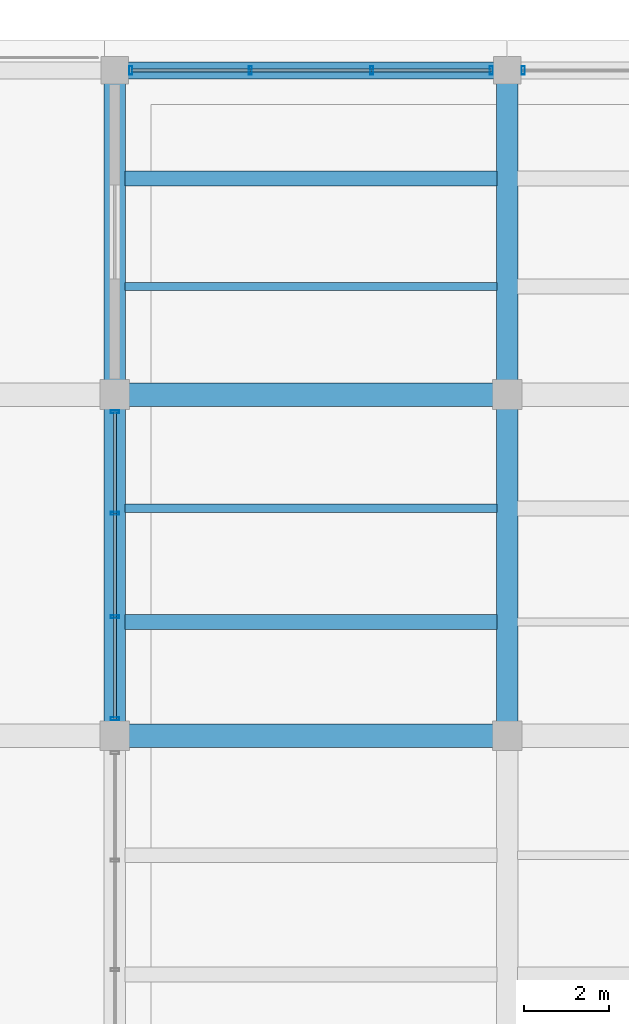
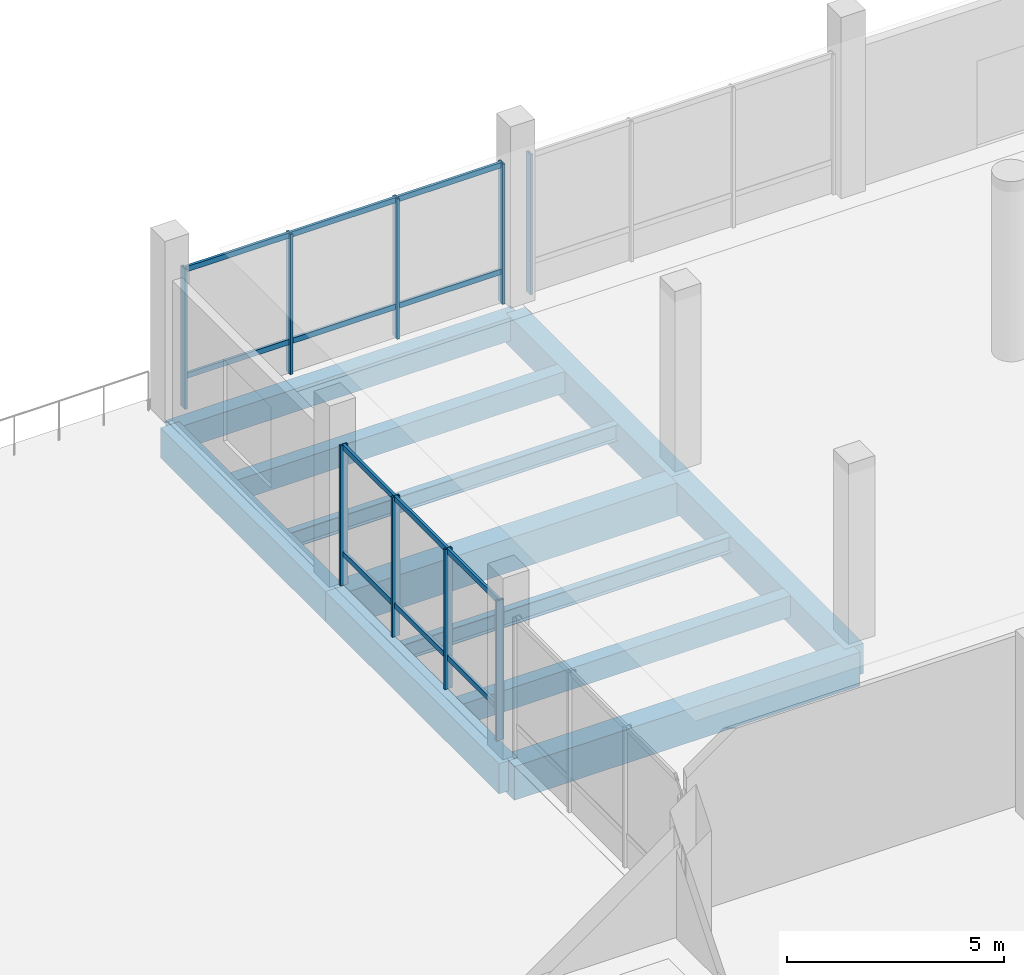
# One storey, part 37 of 73: 21 members, 11 beams, 3 elements without a shape of their own.
"""IFC4 building model written with IfcOpenShell, lengths in metres."""

import ifcopenshell
import ifcopenshell.guid

model = None  # the IFC model being written
_history = None  # IfcOwnerHistory: only IFC2X3 demands one
_inside = {}  # id of a spatial element -> (the spatial element, [elements in it])
_under = {}  # id of a project, library or spatial element -> (it, [spatial elements below it])
_declared = {}  # id of a project -> (the project, [libraries it declares])
_typed = {}  # id of a type object -> (the type object, [elements of that type])
_made_of = {}  # id of a material, layer set ... -> (it, [elements and type objects made of it])


def new_model(schema):
    """Start an empty IFC model of exactly this schema.

    Asked for "IFC4X3", IfcOpenShell would pick the latest addendum, in which some entities
    have other attributes; the version numbers below select the first issue.
    IFC2X3 requires an IfcOwnerHistory on every rooted entity: one is made here for all.
    """
    global model, _history
    if schema == "IFC4X3":
        model = ifcopenshell.file(schema_version=(4, 3, 0, 0))
    else:
        model = ifcopenshell.file(schema=schema)
    _inside.clear()
    _under.clear()
    _declared.clear()
    _typed.clear()
    _made_of.clear()
    _history = None
    if model.schema == "IFC2X3":
        org = make("IfcOrganization", Name="unknown")
        user = make(
            "IfcPersonAndOrganization",
            ThePerson=make("IfcPerson", FamilyName="unknown"),
            TheOrganization=org,
        )
        app = make(
            "IfcApplication",
            ApplicationDeveloper=org,
            Version="unknown",
            ApplicationFullName="unknown",
            ApplicationIdentifier="unknown",
        )
        _history = make(
            "IfcOwnerHistory",
            OwningUser=user,
            OwningApplication=app,
            ChangeAction="ADDED",
            CreationDate=0,
        )
    return model


def make(cls, **values):
    """One entity of the class cls with the attributes given. An attribute that is None is left unset."""
    return model.create_entity(
        cls, **{name: value for name, value in values.items() if value is not None}
    )


def rooted(cls, **values):
    """An entity with a GlobalId (a new one), such as an element, a storey or a relation."""
    return make(cls, GlobalId=ifcopenshell.guid.new(), OwnerHistory=_history, **values)


def si_unit(unit_type, name, prefix=None):
    """IfcSIUnit, for example si_unit("LENGTHUNIT", "METRE", prefix="MILLI")."""
    return make("IfcSIUnit", UnitType=unit_type, Prefix=prefix, Name=name)


def assignment(units):
    """IfcUnitAssignment: the units of a project."""
    return None if units is None else make("IfcUnitAssignment", Units=units)


def point(xyz):
    """IfcCartesianPoint."""
    return None if xyz is None else make("IfcCartesianPoint", Coordinates=xyz)


def direction(xyz):
    """IfcDirection."""
    return None if xyz is None else make("IfcDirection", DirectionRatios=xyz)


def frame(location, z_axis=None, x_axis=None):
    """IfcAxis2Placement3D, a coordinate frame: its origin and axes. An axis left out is left unset."""
    return make(
        "IfcAxis2Placement3D",
        Location=point(location),
        Axis=direction(z_axis),
        RefDirection=direction(x_axis),
    )


def frame_2d(location, x_axis=None):
    """IfcAxis2Placement2D, a coordinate frame in the plane: its origin and x axis."""
    return make(
        "IfcAxis2Placement2D", Location=point(location), RefDirection=direction(x_axis)
    )


def origin():
    """The frame at (0, 0, 0) with its axes left unset."""
    return frame((0.0, 0.0, 0.0))


def origin_2d():
    """The frame at (0, 0) in the plane with its x axis left unset."""
    return frame_2d((0.0, 0.0))


def place(relative_to, where):
    """IfcLocalPlacement: puts the frame where relative to a parent placement (None: the world)."""
    return make(
        "IfcLocalPlacement", PlacementRelTo=relative_to, RelativePlacement=where
    )


def context(
    kind, dimensions, precision=None, world=None, true_north=None, identifier=None
):
    """IfcGeometricRepresentationContext, for example the 3D "Model" context."""
    return make(
        "IfcGeometricRepresentationContext",
        ContextIdentifier=identifier,
        ContextType=kind,
        CoordinateSpaceDimension=dimensions,
        Precision=precision,
        WorldCoordinateSystem=world,
        TrueNorth=true_north,
    )


def subcontext(parent, identifier, kind, view, scale=None):
    """IfcGeometricRepresentationSubContext, for example "Body" below "Model"."""
    return make(
        "IfcGeometricRepresentationSubContext",
        ContextIdentifier=identifier,
        ContextType=kind,
        ParentContext=parent,
        TargetScale=scale,
        TargetView=view,
    )


def project(units=None, contexts=None):
    """IfcProject with its units and contexts."""
    return rooted(
        "IfcProject",
        Name="project",
        RepresentationContexts=contexts,
        UnitsInContext=assignment(units),
    )


def spatial(cls, under=None, at=None, **own):
    """A site, building, storey or space (cls), placed at a placement, below another one or the project."""
    s = rooted(cls, ObjectPlacement=at, **own)
    if under is not None:
        _under.setdefault(under.id(), (under, []))[1].append(s)
    return s


def profile(cls, at=None, kind="AREA", **sizes):
    """A parametric profile (cls). Its sizes go by their IFC names, for example OverallWidth=200.0."""
    return make(cls, ProfileType=kind, Position=at, **sizes)


def rectangle(**sizes):
    """IfcRectangleProfileDef."""
    return profile("IfcRectangleProfileDef", **sizes)


def hollow_rectangle(**sizes):
    """IfcRectangleHollowProfileDef."""
    return profile("IfcRectangleHollowProfileDef", **sizes)


def i_section(**sizes):
    """IfcIShapeProfileDef."""
    return profile("IfcIShapeProfileDef", **sizes)


def extrude(swept, where, along, depth):
    """IfcExtrudedAreaSolid: the profile swept, set in the frame where, extruded along a direction by depth."""
    return make(
        "IfcExtrudedAreaSolid",
        SweptArea=swept,
        Position=where,
        ExtrudedDirection=direction(along),
        Depth=depth,
    )


def shape(context_of_items, identifier, shape_type, items):
    """IfcShapeRepresentation: the items that make up one representation, for example the "Body"."""
    return make(
        "IfcShapeRepresentation",
        ContextOfItems=context_of_items,
        RepresentationIdentifier=identifier,
        RepresentationType=shape_type,
        Items=items,
    )


def material(Name=None, Category=None):
    """IfcMaterial."""
    return make("IfcMaterial", Name=Name, Category=Category)


def layer(
    of_material, thickness, ventilated=None, Name=None, Category=None, Priority=None
):
    """IfcMaterialLayer: one layer of a wall or slab, of a material (None: an air gap)."""
    return make(
        "IfcMaterialLayer",
        Material=of_material,
        LayerThickness=thickness,
        IsVentilated=ventilated,
        Name=Name,
        Category=Category,
        Priority=Priority,
    )


def layer_set(layers, Name=None):
    """IfcMaterialLayerSet."""
    return make("IfcMaterialLayerSet", MaterialLayers=layers, LayerSetName=Name)


def material_profile(
    of_material, cross_section, Name=None, Category=None, Priority=None
):
    """IfcMaterialProfile: a cross section and its material."""
    return make(
        "IfcMaterialProfile",
        Name=Name,
        Material=of_material,
        Profile=cross_section,
        Priority=Priority,
        Category=Category,
    )


def profile_set(profiles, Name=None, composite=None):
    """IfcMaterialProfileSet."""
    return make(
        "IfcMaterialProfileSet",
        Name=Name,
        MaterialProfiles=profiles,
        CompositeProfile=composite,
    )


def made_of(thing, what):
    """Note that an element or type object is made of a material, layer set ...; save() writes the relation."""
    if what is not None:
        _made_of.setdefault(what.id(), (what, []))[1].append(thing)
    return thing


def type_object(cls, material=None, **own):
    """A type object (cls), such as IfcWallType, which elements share."""
    return made_of(rooted(cls, **own), material)


def element(
    cls,
    number,
    at=None,
    inside=None,
    cuts=None,
    type_object=None,
    material=None,
    context=None,
    identifier="Body",
    shape_type=None,
    held_by="IfcProductDefinitionShape",
    body=None,
    shapes=None,
    **own,
):
    """One element of the class cls, such as IfcWall. Its Tag is "e" and its number.

    at: its placement. inside: the storey or other place that contains it. cuts: it is an
    opening in that element (IfcRelVoidsElement). A single representation is given by context,
    identifier, shape_type and body (its items); several are given by shapes. held_by: the class
    of the entity that holds the representations. save() writes the other relations.
    """
    e = rooted(cls, Tag="e%d" % number, ObjectPlacement=at, **own)
    if body is not None:
        shapes = [shape(context, identifier, shape_type, body)]
    if shapes is not None:
        e.Representation = make(held_by, Representations=shapes)
    if inside is not None:
        _inside.setdefault(inside.id(), (inside, []))[1].append(e)
    if cuts is not None:
        rooted(
            "IfcRelVoidsElement", RelatingBuildingElement=cuts, RelatedOpeningElement=e
        )
    if type_object is not None:
        _typed.setdefault(type_object.id(), (type_object, []))[1].append(e)
    return made_of(e, material)


def aggregate(whole, parts):
    """IfcRelAggregates: a whole, such as a stair, and the parts it consists of."""
    return rooted("IfcRelAggregates", RelatingObject=whole, RelatedObjects=parts)


def save(model, path):
    """Write the relations noted so far, then the file.

    IfcRelAggregates (storeys below a building ...), IfcRelContainedInSpatialStructure (elements
    in a storey), IfcRelDefinesByType, IfcRelAssociatesMaterial and IfcRelDeclares: one each for
    every whole, place, type object, material and project.
    """
    for whole, parts in _under.values():
        aggregate(whole, parts)
    for where, things in _inside.values():
        rooted(
            "IfcRelContainedInSpatialStructure",
            RelatedElements=things,
            RelatingStructure=where,
        )
    for kind, things in _typed.values():
        rooted("IfcRelDefinesByType", RelatedObjects=things, RelatingType=kind)
    for what, things in _made_of.values():
        rooted("IfcRelAssociatesMaterial", RelatedObjects=things, RelatingMaterial=what)
    for by, libraries in _declared.values():
        rooted("IfcRelDeclares", RelatingContext=by, RelatedDefinitions=libraries)
    model.write(path)


model = new_model("IFC4")

# Units and contexts
model_context = context("Model", 3, precision=1e-05, world=origin(), true_north=direction((0.0, 1.0)))
body_context = subcontext(model_context, "Body", "Model", "MODEL_VIEW")
ifc_project = project(units=[si_unit("LENGTHUNIT", "METRE"), si_unit("AREAUNIT", "SQUARE_METRE"), si_unit("VOLUMEUNIT", "CUBIC_METRE"), si_unit("PLANEANGLEUNIT", "RADIAN"), si_unit("MASSUNIT", "GRAM", prefix="KILO")], contexts=[model_context])

# Site, building, storey
site_placement = place(None, origin())
site = spatial("IfcSite", under=ifc_project, at=site_placement, CompositionType="ELEMENT")
building_placement = place(site_placement, origin())
building = spatial("IfcBuilding", under=site, at=building_placement, Name="Meriwether Solvik Hall", CompositionType="ELEMENT")
storey_placement = place(building_placement, origin())
storey = spatial("IfcBuildingStorey", under=building, at=storey_placement, Name="L00", CompositionType="ELEMENT", Elevation=0.0)

# Beams
ifc_material_1 = material(Name="Concrete C40/50", Category="concrete")
ifc_material_profile_1 = material_profile(ifc_material_1, rectangle(XDim=0.35009765625, YDim=0.60009765625, at=origin_2d()), Name="RCB-350X600")
ifc_profile_set_1 = profile_set([ifc_material_profile_1], Name="Concrete C40/50")
beam_type_1 = type_object("IfcBeamType", Name="BM-RC-350X600", PredefinedType="JOIST", material=ifc_profile_set_1)
for number, where, z_axis, x_axis, name in (
    (1, (105.2451171875, 103.86669921875, -0.659912109375), (1.0, 0.0, 0.0), (0.0, 1.0, 0.0), "Secondary Floor Joist 12/L_J1 (L00)"),
    (2, (105.2451171875, 114.2666015625, -0.659912109375), (1.0, 0.0, 0.0), (0.0, 1.0, 0.0), "Secondary Floor Joist 12/M_J2 (L00)"),
):
    element("IfcBeam", number, at=place(storey_placement, frame(where, z_axis=z_axis, x_axis=x_axis)), inside=storey, type_object=beam_type_1, Name=name, PredefinedType="JOIST", context=body_context, shape_type="SweptSolid", body=[
        extrude(rectangle(XDim=0.35009765625, YDim=0.60009765625, at=origin_2d()), origin(), (0.0, 0.0, 1.0), 8.7099609375),
    ])
ifc_material_2 = material(Name="Concrete C40/50", Category="concrete")
ifc_material_profile_2 = material_profile(ifc_material_2, rectangle(XDim=0.39990234375, YDim=0.64990234375, at=origin_2d()), Name="RCB-400X650")
ifc_profile_set_2 = profile_set([ifc_material_profile_2], Name="Concrete C40/50")
beam_type_2 = type_object("IfcBeamType", Name="BM-RC-400X650", PredefinedType="SPANDREL", material=ifc_profile_set_2)
beam_1_placement = place(storey_placement, frame((105.0, 116.800048828125, -0.68505859375), z_axis=(1.0, 0.0, 0.0), x_axis=(0.0, 1.0, 0.0)))
element("IfcBeam", 3, at=beam_1_placement, inside=storey, type_object=beam_type_2, Name="Podium Girder N:12-13 (L00)", PredefinedType="SPANDREL", context=body_context, shape_type="SweptSolid", body=[
    extrude(rectangle(XDim=0.39990234375, YDim=0.64990234375, at=origin_2d()), origin(), (0.0, 0.0, 1.0), 9.199951171875),
])
ifc_material_3 = material(Name="Concrete C40/50", Category="concrete")
ifc_material_profile_3 = material_profile(ifc_material_3, rectangle(XDim=0.5, YDim=0.85009765625, at=origin_2d()), Name="RCB-500X850")
ifc_profile_set_3 = profile_set([ifc_material_profile_3], Name="Concrete C40/50")
beam_type_3 = type_object("IfcBeamType", Name="BM-RC-500X850", PredefinedType="BEAM", material=ifc_profile_set_3)
beam_2_placement = place(storey_placement, frame((105.0, 101.199951171875, -0.784912109375), z_axis=(0.0, 1.0, 0.0), x_axis=(-1.0, 0.0, 0.0)))
element("IfcBeam", 4, at=beam_2_placement, inside=storey, type_object=beam_type_3, Name="Podium Girder 12:L-M (L00)", PredefinedType="BEAM", context=body_context, shape_type="SweptSolid", body=[
    extrude(rectangle(XDim=0.5, YDim=0.85009765625, at=origin_2d()), origin(), (0.0, 0.0, 1.0), 8.0),
])
beam_3_placement = place(storey_placement, frame((105.0, 109.199951171875, -0.784912109375), z_axis=(0.0, 1.0, 0.0), x_axis=(-1.0, 0.0, 0.0)))
element("IfcBeam", 5, at=beam_3_placement, inside=storey, type_object=beam_type_3, Name="Podium Girder 12:M-N (L00)", PredefinedType="BEAM", context=body_context, shape_type="SweptSolid", body=[
    extrude(rectangle(XDim=0.5, YDim=0.85009765625, at=origin_2d()), origin(), (0.0, 0.0, 1.0), 7.60009765625),
])
beam_4_placement = place(storey_placement, frame((114.199951171875, 101.199951171875, -0.784912109375), z_axis=(0.0, 1.0, 0.0), x_axis=(-1.0, 0.0, 0.0)))
element("IfcBeam", 6, at=beam_4_placement, inside=storey, type_object=beam_type_3, Name="Podium Girder 13:L-M (L00)", PredefinedType="BEAM", context=body_context, shape_type="SweptSolid", body=[
    extrude(rectangle(XDim=0.5, YDim=0.85009765625, at=origin_2d()), origin(), (0.0, 0.0, 1.0), 8.0),
])
beam_5_placement = place(storey_placement, frame((114.199951171875, 109.199951171875, -0.784912109375), z_axis=(0.0, 1.0, 0.0), x_axis=(-1.0, 0.0, 0.0)))
element("IfcBeam", 7, at=beam_5_placement, inside=storey, type_object=beam_type_3, Name="Podium Girder 13:M-N (L00)", PredefinedType="BEAM", context=body_context, shape_type="SweptSolid", body=[
    extrude(rectangle(XDim=0.5, YDim=0.85009765625, at=origin_2d()), origin(), (0.0, 0.0, 1.0), 7.60009765625),
])
ifc_material_4 = material(Name="Concrete C40/50", Category="concrete")
ifc_material_profile_4 = material_profile(ifc_material_4, rectangle(XDim=0.550048828125, YDim=0.949951171875, at=origin_2d()), Name="RCB-550X950")
ifc_profile_set_4 = profile_set([ifc_material_profile_4], Name="Concrete C40/50")
beam_type_4 = type_object("IfcBeamType", Name="BM-RC-550X950", PredefinedType="BEAM", material=ifc_profile_set_4)
for number, where, z_axis, x_axis, name in (
    (8, (105.0, 101.199951171875, -0.8349609375), (1.0, 0.0, 0.0), (0.0, 1.0, 0.0), "Podium Girder L:12-13 (L00)"),
    (9, (105.0, 109.199951171875, -0.8349609375), (1.0, 0.0, 0.0), (0.0, 1.0, 0.0), "Podium Girder M:12-13 (L00)"),
):
    element("IfcBeam", number, at=place(storey_placement, frame(where, z_axis=z_axis, x_axis=x_axis)), inside=storey, type_object=beam_type_4, Name=name, PredefinedType="BEAM", context=body_context, shape_type="SweptSolid", body=[
        extrude(rectangle(XDim=0.550048828125, YDim=0.949951171875, at=origin_2d()), origin(), (0.0, 0.0, 1.0), 9.199951171875),
    ])
ifc_material_5 = material(Name="Steel A992 Grade 50", Category="steel")
ifc_material_profile_5 = material_profile(ifc_material_5, i_section(OverallWidth=0.19091796875, OverallDepth=0.45703125, WebThickness=0.009033203125, FlangeThickness=0.014404296875, at=origin_2d()), Name="W18X50")
ifc_profile_set_5 = profile_set([ifc_material_profile_5], Name="Steel A992 Grade 50")
beam_type_5 = type_object("IfcBeamType", Name="BM-STL-W18X50", PredefinedType="JOIST", material=ifc_profile_set_5)
for number, where, z_axis, x_axis, name in (
    (10, (105.2451171875, 106.533203125, -0.58837890625), (1.0, 0.0, 0.0), (0.0, 1.0, 0.0), "Secondary Floor Joist 12/L_J2 (L00)"),
    (11, (105.2451171875, 111.7333984375, -0.58837890625), (1.0, 0.0, 0.0), (0.0, 1.0, 0.0), "Secondary Floor Joist 12/M_J1 (L00)"),
):
    element("IfcBeam", number, at=place(storey_placement, frame(where, z_axis=z_axis, x_axis=x_axis)), inside=storey, type_object=beam_type_5, Name=name, PredefinedType="JOIST", context=body_context, shape_type="SweptSolid", body=[
        extrude(i_section(OverallWidth=0.19091796875, OverallDepth=0.45703125, WebThickness=0.009033203125, FlangeThickness=0.014404296875, at=origin_2d()), origin(), (0.0, 0.0, 1.0), 8.7099609375),
    ])

# Curtain wall, members
ifc_material_6 = material(Name="Thermally Broken Anodised Aluminium 6063-T6 and Low-E Glass", Category="aluminium")
ifc_layer = layer(ifc_material_6, 0.179931640625)
ifc_layer_set = layer_set([ifc_layer], Name="Thermally Broken Anodised Aluminium 6063-T6 and Low-E Glass")
curtain_wall_type = type_object("IfcCurtainWallType", Name="CW-SF-POD-A", PredefinedType="USERDEFINED", material=ifc_layer_set)
curtain_wall_1_placement = place(storey_placement, origin())
curtain_wall_1 = element("IfcCurtainWall", 12, at=curtain_wall_1_placement, inside=storey, type_object=curtain_wall_type, Name="Curtain Wall wing_XN_12_29 (L00)", ObjectType="STICK STOREFRONT GLAZING", PredefinedType="USERDEFINED")
ifc_material_7 = material(Name="Anodised Aluminium 6063-T6", Category="aluminium")
ifc_material_profile_6 = material_profile(ifc_material_7, hollow_rectangle(XDim=0.070068359375, YDim=0.199951171875, WallThickness=0.0048828125, at=origin_2d()), Name="CWM-70X200")
ifc_profile_set_6 = profile_set([ifc_material_profile_6], Name="Anodised Aluminium 6063-T6")
member_type_1 = type_object("IfcMemberType", Name="CW-MUL-70X200", PredefinedType="MULLION", material=ifc_profile_set_6)
member_1_placement = place(storey_placement, frame((105.375, 116.800048828125, 0.0), z_axis=(0.0, 0.0, 1.0), x_axis=(1.0, 0.0, 0.0)))
member_1 = element("IfcMember", 13, at=member_1_placement, type_object=member_type_1, Name="Curtain Wall Mullion 1", PredefinedType="MULLION", context=body_context, shape_type="SweptSolid", body=[
    extrude(hollow_rectangle(XDim=0.070068359375, YDim=0.199951171875, WallThickness=0.0048828125, at=origin_2d()), origin(), (0.0, 0.0, 1.0), 3.93994140625),
])
member_2_placement = place(storey_placement, frame((108.178955078125, 116.800048828125, 0.0), z_axis=(0.0, 0.0, 1.0), x_axis=(1.0, 0.0, 0.0)))
member_2 = element("IfcMember", 14, at=member_2_placement, type_object=member_type_1, Name="Curtain Wall Mullion 2", PredefinedType="MULLION", context=body_context, shape_type="SweptSolid", body=[
    extrude(hollow_rectangle(XDim=0.070068359375, YDim=0.199951171875, WallThickness=0.0048828125, at=origin_2d()), origin(), (0.0, 0.0, 1.0), 3.93994140625),
])
member_3_placement = place(storey_placement, frame((111.02099609375, 116.800048828125, 0.0), z_axis=(0.0, 0.0, 1.0), x_axis=(1.0, 0.0, 0.0)))
member_3 = element("IfcMember", 15, at=member_3_placement, type_object=member_type_1, Name="Curtain Wall Mullion 3", PredefinedType="MULLION", context=body_context, shape_type="SweptSolid", body=[
    extrude(hollow_rectangle(XDim=0.070068359375, YDim=0.199951171875, WallThickness=0.0048828125, at=origin_2d()), origin(), (0.0, 0.0, 1.0), 3.93994140625),
])
member_4_placement = place(storey_placement, frame((113.824951171875, 116.800048828125, 0.0), z_axis=(0.0, 0.0, 1.0), x_axis=(1.0, 0.0, 0.0)))
member_4 = element("IfcMember", 16, at=member_4_placement, type_object=member_type_1, Name="Curtain Wall Mullion 4", PredefinedType="MULLION", context=body_context, shape_type="SweptSolid", body=[
    extrude(hollow_rectangle(XDim=0.070068359375, YDim=0.199951171875, WallThickness=0.0048828125, at=origin_2d()), origin(), (0.0, 0.0, 1.0), 3.93994140625),
])

# Curtain wall, member
curtain_wall_2_placement = place(storey_placement, origin())
curtain_wall_2 = element("IfcCurtainWall", 17, at=curtain_wall_2_placement, inside=storey, type_object=curtain_wall_type, Name="Curtain Wall wing_XN_13_30 (L00)", ObjectType="STICK STOREFRONT GLAZING", PredefinedType="USERDEFINED")
member_5_placement = place(storey_placement, frame((114.574951171875, 116.800048828125, 0.0), z_axis=(0.0, 0.0, 1.0), x_axis=(1.0, 0.0, 0.0)))
member_5 = element("IfcMember", 18, at=member_5_placement, type_object=member_type_1, Name="Curtain Wall Mullion 1", PredefinedType="MULLION", context=body_context, shape_type="SweptSolid", body=[
    extrude(hollow_rectangle(XDim=0.070068359375, YDim=0.199951171875, WallThickness=0.0048828125, at=origin_2d()), origin(), (0.0, 0.0, 1.0), 3.93994140625),
])
aggregate(curtain_wall_2, [member_5])

# Curtain wall, members
curtain_wall_3_placement = place(storey_placement, origin())
curtain_wall_3 = element("IfcCurtainWall", 19, at=curtain_wall_3_placement, inside=storey, type_object=curtain_wall_type, Name="Curtain Wall wing_Y12_12_57 (L00)", ObjectType="STICK STOREFRONT GLAZING", PredefinedType="USERDEFINED")
member_6_placement = place(storey_placement, frame((105.0, 101.60009765625, 0.0), z_axis=(0.0, 0.0, 1.0), x_axis=(0.0, 1.0, 0.0)))
member_6 = element("IfcMember", 20, at=member_6_placement, type_object=member_type_1, Name="Curtain Wall Mullion 1", PredefinedType="MULLION", context=body_context, shape_type="SweptSolid", body=[
    extrude(hollow_rectangle(XDim=0.070068359375, YDim=0.199951171875, WallThickness=0.0048828125, at=origin_2d()), origin(), (0.0, 0.0, 1.0), 3.93994140625),
])
member_7_placement = place(storey_placement, frame((105.0, 103.9873046875, 0.0), z_axis=(0.0, 0.0, 1.0), x_axis=(0.0, 1.0, 0.0)))
member_7 = element("IfcMember", 21, at=member_7_placement, type_object=member_type_1, Name="Curtain Wall Mullion 2", PredefinedType="MULLION", context=body_context, shape_type="SweptSolid", body=[
    extrude(hollow_rectangle(XDim=0.070068359375, YDim=0.199951171875, WallThickness=0.0048828125, at=origin_2d()), origin(), (0.0, 0.0, 1.0), 3.93994140625),
])
member_8_placement = place(storey_placement, frame((105.0, 106.41259765625, 0.0), z_axis=(0.0, 0.0, 1.0), x_axis=(0.0, 1.0, 0.0)))
member_8 = element("IfcMember", 22, at=member_8_placement, type_object=member_type_1, Name="Curtain Wall Mullion 3", PredefinedType="MULLION", context=body_context, shape_type="SweptSolid", body=[
    extrude(hollow_rectangle(XDim=0.070068359375, YDim=0.199951171875, WallThickness=0.0048828125, at=origin_2d()), origin(), (0.0, 0.0, 1.0), 3.93994140625),
])
member_9_placement = place(storey_placement, frame((105.0, 108.800048828125, 0.0), z_axis=(0.0, 0.0, 1.0), x_axis=(0.0, 1.0, 0.0)))
member_9 = element("IfcMember", 23, at=member_9_placement, type_object=member_type_1, Name="Curtain Wall Mullion 4", PredefinedType="MULLION", context=body_context, shape_type="SweptSolid", body=[
    extrude(hollow_rectangle(XDim=0.070068359375, YDim=0.199951171875, WallThickness=0.0048828125, at=origin_2d()), origin(), (0.0, 0.0, 1.0), 3.93994140625),
])

# Member
ifc_material_8 = material(Name="Anodised Aluminium 6063-T6", Category="aluminium")
ifc_material_profile_7 = material_profile(ifc_material_8, hollow_rectangle(XDim=0.070068359375, YDim=0.14990234375, WallThickness=0.0048828125, at=origin_2d()), Name="CWT-70X150")
ifc_profile_set_7 = profile_set([ifc_material_profile_7], Name="Anodised Aluminium 6063-T6")
member_type_2 = type_object("IfcMemberType", Name="CW-TRN-70X150", PredefinedType="USERDEFINED", material=ifc_profile_set_7)
member_10_placement = place(storey_placement, frame((105.375, 116.800048828125, 0.8798828125), z_axis=(1.0, 0.0, 0.0), x_axis=(0.0, 1.0, 0.0)))
member_10 = element("IfcMember", 24, at=member_10_placement, type_object=member_type_2, Name="Curtain Wall Transom 1-sill", ObjectType="TRANSOM", PredefinedType="USERDEFINED", context=body_context, shape_type="SweptSolid", body=[
    extrude(hollow_rectangle(XDim=0.070068359375, YDim=0.14990234375, WallThickness=0.0048828125, at=origin_2d()), origin(), (0.0, 0.0, 1.0), 2.803955078125),
])

member_11_placement = place(storey_placement, frame((105.375, 116.800048828125, 3.8798828125), z_axis=(1.0, 0.0, 0.0), x_axis=(0.0, 1.0, 0.0)))
member_11 = element("IfcMember", 25, at=member_11_placement, type_object=member_type_2, Name="Curtain Wall Transom 1-head", ObjectType="TRANSOM", PredefinedType="USERDEFINED", context=body_context, shape_type="SweptSolid", body=[
    extrude(hollow_rectangle(XDim=0.070068359375, YDim=0.14990234375, WallThickness=0.0048828125, at=origin_2d()), origin(), (0.0, 0.0, 1.0), 2.803955078125),
])

member_12_placement = place(storey_placement, frame((108.178955078125, 116.800048828125, 0.8798828125), z_axis=(1.0, 0.0, 0.0), x_axis=(0.0, 1.0, 0.0)))
member_12 = element("IfcMember", 26, at=member_12_placement, type_object=member_type_2, Name="Curtain Wall Transom 2-sill", ObjectType="TRANSOM", PredefinedType="USERDEFINED", context=body_context, shape_type="SweptSolid", body=[
    extrude(hollow_rectangle(XDim=0.070068359375, YDim=0.14990234375, WallThickness=0.0048828125, at=origin_2d()), origin(), (0.0, 0.0, 1.0), 2.842041015625),
])

member_13_placement = place(storey_placement, frame((108.178955078125, 116.800048828125, 3.8798828125), z_axis=(1.0, 0.0, 0.0), x_axis=(0.0, 1.0, 0.0)))
member_13 = element("IfcMember", 27, at=member_13_placement, type_object=member_type_2, Name="Curtain Wall Transom 2-head", ObjectType="TRANSOM", PredefinedType="USERDEFINED", context=body_context, shape_type="SweptSolid", body=[
    extrude(hollow_rectangle(XDim=0.070068359375, YDim=0.14990234375, WallThickness=0.0048828125, at=origin_2d()), origin(), (0.0, 0.0, 1.0), 2.842041015625),
])

member_14_placement = place(storey_placement, frame((111.02099609375, 116.800048828125, 0.8798828125), z_axis=(1.0, 0.0, 0.0), x_axis=(0.0, 1.0, 0.0)))
member_14 = element("IfcMember", 28, at=member_14_placement, type_object=member_type_2, Name="Curtain Wall Transom 3-sill", ObjectType="TRANSOM", PredefinedType="USERDEFINED", context=body_context, shape_type="SweptSolid", body=[
    extrude(hollow_rectangle(XDim=0.070068359375, YDim=0.14990234375, WallThickness=0.0048828125, at=origin_2d()), origin(), (0.0, 0.0, 1.0), 2.803955078125),
])

member_15_placement = place(storey_placement, frame((111.02099609375, 116.800048828125, 3.8798828125), z_axis=(1.0, 0.0, 0.0), x_axis=(0.0, 1.0, 0.0)))
member_15 = element("IfcMember", 29, at=member_15_placement, type_object=member_type_2, Name="Curtain Wall Transom 3-head", ObjectType="TRANSOM", PredefinedType="USERDEFINED", context=body_context, shape_type="SweptSolid", body=[
    extrude(hollow_rectangle(XDim=0.070068359375, YDim=0.14990234375, WallThickness=0.0048828125, at=origin_2d()), origin(), (0.0, 0.0, 1.0), 2.803955078125),
])

aggregate(curtain_wall_1, [member_1, member_2, member_3, member_4, member_10, member_11, member_12, member_13, member_14, member_15])

member_16_placement = place(storey_placement, frame((105.0, 101.60009765625, 0.8798828125), z_axis=(0.0, 1.0, 0.0), x_axis=(-1.0, 0.0, 0.0)))
member_16 = element("IfcMember", 30, at=member_16_placement, type_object=member_type_2, Name="Curtain Wall Transom 1-sill", ObjectType="TRANSOM", PredefinedType="USERDEFINED", context=body_context, shape_type="SweptSolid", body=[
    extrude(hollow_rectangle(XDim=0.070068359375, YDim=0.14990234375, WallThickness=0.0048828125, at=origin_2d()), origin(), (0.0, 0.0, 1.0), 2.38720703125),
])

member_17_placement = place(storey_placement, frame((105.0, 101.60009765625, 3.8798828125), z_axis=(0.0, 1.0, 0.0), x_axis=(-1.0, 0.0, 0.0)))
member_17 = element("IfcMember", 31, at=member_17_placement, type_object=member_type_2, Name="Curtain Wall Transom 1-head", ObjectType="TRANSOM", PredefinedType="USERDEFINED", context=body_context, shape_type="SweptSolid", body=[
    extrude(hollow_rectangle(XDim=0.070068359375, YDim=0.14990234375, WallThickness=0.0048828125, at=origin_2d()), origin(), (0.0, 0.0, 1.0), 2.38720703125),
])

member_18_placement = place(storey_placement, frame((105.0, 103.9873046875, 0.8798828125), z_axis=(0.0, 1.0, 0.0), x_axis=(-1.0, 0.0, 0.0)))
member_18 = element("IfcMember", 32, at=member_18_placement, type_object=member_type_2, Name="Curtain Wall Transom 2-sill", ObjectType="TRANSOM", PredefinedType="USERDEFINED", context=body_context, shape_type="SweptSolid", body=[
    extrude(hollow_rectangle(XDim=0.070068359375, YDim=0.14990234375, WallThickness=0.0048828125, at=origin_2d()), origin(), (0.0, 0.0, 1.0), 2.42529296875),
])

member_19_placement = place(storey_placement, frame((105.0, 103.9873046875, 3.8798828125), z_axis=(0.0, 1.0, 0.0), x_axis=(-1.0, 0.0, 0.0)))
member_19 = element("IfcMember", 33, at=member_19_placement, type_object=member_type_2, Name="Curtain Wall Transom 2-head", ObjectType="TRANSOM", PredefinedType="USERDEFINED", context=body_context, shape_type="SweptSolid", body=[
    extrude(hollow_rectangle(XDim=0.070068359375, YDim=0.14990234375, WallThickness=0.0048828125, at=origin_2d()), origin(), (0.0, 0.0, 1.0), 2.42529296875),
])

member_20_placement = place(storey_placement, frame((105.0, 106.41259765625, 0.8798828125), z_axis=(0.0, 1.0, 0.0), x_axis=(-1.0, 0.0, 0.0)))
member_20 = element("IfcMember", 34, at=member_20_placement, type_object=member_type_2, Name="Curtain Wall Transom 3-sill", ObjectType="TRANSOM", PredefinedType="USERDEFINED", context=body_context, shape_type="SweptSolid", body=[
    extrude(hollow_rectangle(XDim=0.070068359375, YDim=0.14990234375, WallThickness=0.0048828125, at=origin_2d()), origin(), (0.0, 0.0, 1.0), 2.387451171875),
])

member_21_placement = place(storey_placement, frame((105.0, 106.41259765625, 3.8798828125), z_axis=(0.0, 1.0, 0.0), x_axis=(-1.0, 0.0, 0.0)))
member_21 = element("IfcMember", 35, at=member_21_placement, type_object=member_type_2, Name="Curtain Wall Transom 3-head", ObjectType="TRANSOM", PredefinedType="USERDEFINED", context=body_context, shape_type="SweptSolid", body=[
    extrude(hollow_rectangle(XDim=0.070068359375, YDim=0.14990234375, WallThickness=0.0048828125, at=origin_2d()), origin(), (0.0, 0.0, 1.0), 2.387451171875),
])

aggregate(curtain_wall_3, [member_6, member_7, member_8, member_9, member_16, member_17, member_18, member_19, member_20, member_21])

save(model, "model.ifc")
